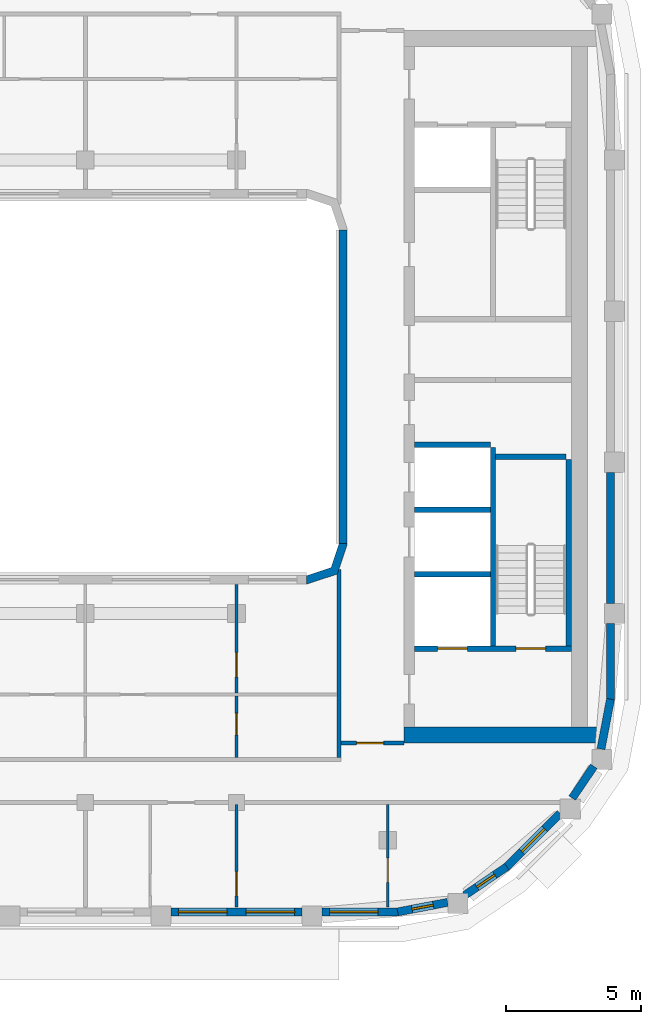
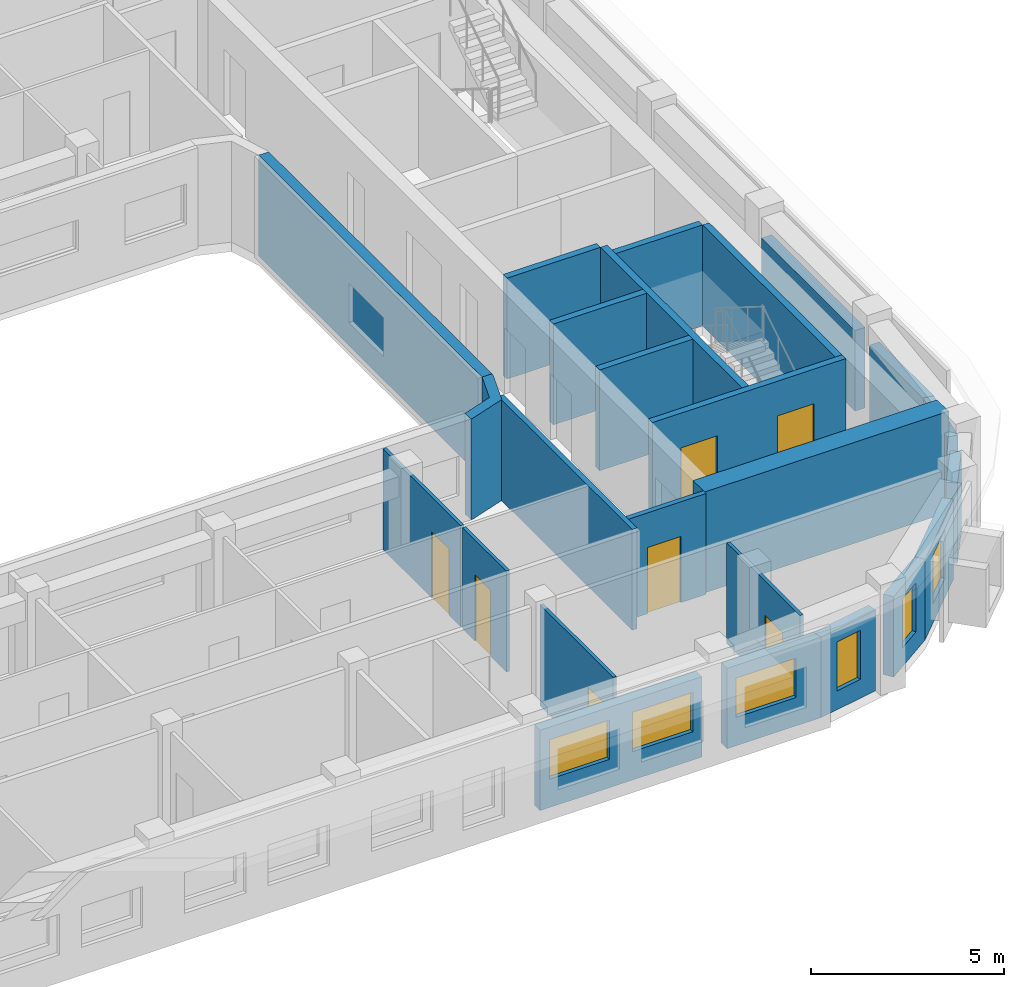
# One storey, part 5 of 16: 25 walls, 7 doors, 6 windows, 13 openings.
"""IFC4 building model written with IfcOpenShell, lengths in metres."""

from ifc_helpers import new_model, si_unit, direction, frame, frame_2d, origin, place, context, subcontext, project, spatial, polyline, rectangle, outline, extrude, material, layer, layer_set, type_object, element, fill, save


model = new_model("IFC4")

# Units and contexts
model_context = context("Model", 3, precision=1e-05, world=origin(), true_north=direction((0.0, 1.0)))
body_context = subcontext(model_context, "Body", "Model", "MODEL_VIEW")
ifc_project = project(units=[si_unit("LENGTHUNIT", "METRE"), si_unit("AREAUNIT", "SQUARE_METRE"), si_unit("VOLUMEUNIT", "CUBIC_METRE"), si_unit("PLANEANGLEUNIT", "RADIAN"), si_unit("MASSUNIT", "GRAM", prefix="KILO")], contexts=[model_context])

# Site, building, storey
site_placement = place(None, origin())
site = spatial("IfcSite", under=ifc_project, at=site_placement, CompositionType="ELEMENT")
building_placement = place(site_placement, origin())
building = spatial("IfcBuilding", under=site, at=building_placement, Name="Kiln Ring Residences", CompositionType="ELEMENT")
storey_placement = place(building_placement, frame((0.0, 0.0, 269.699951171875)))
storey = spatial("IfcBuildingStorey", under=building, at=storey_placement, Name="L70", CompositionType="ELEMENT", Elevation=269.699951171875)

# Walls
ifc_material_1 = material(Name="Gypsum shaft wall system")
ifc_layer_1 = layer(ifc_material_1, 0.199951171875)
ifc_layer_set_1 = layer_set([ifc_layer_1], Name="CORE-SHAFT-WALL-200")
wall_type_1 = type_object("IfcWallType", Name="CORE-SHAFT-WALL-200", PredefinedType="PARTITIONING", material=ifc_layer_set_1)
for number, where, z_axis, x_axis, name in (
    (1, (17.800048828125, -6.949951171875, 0.0), (0.0, 0.0, 1.0), (1.0, 0.0, 0.0), "Core partition east L70 2"),
    (2, (17.800048828125, -4.550048828125, 0.0), (0.0, 0.0, 1.0), (1.0, 0.0, 0.0), "Core partition east L70 3"),
    (3, (17.800048828125, -2.14990234375, 0.0), (0.0, 0.0, 1.0), (1.0, 0.0, 0.0), "Core partition east L70 4"),
):
    element("IfcWall", number, at=place(storey_placement, frame(where, z_axis=z_axis, x_axis=x_axis)), inside=storey, type_object=wall_type_1, Name=name, PredefinedType="PARTITIONING", context=body_context, shape_type="SweptSolid", body=[
        extrude(rectangle(XDim=2.800048828125, YDim=0.199951171875, at=frame_2d((1.39990234375, 0.0))), origin(), (0.0, 0.0, 1.0), 3.199951171875),
    ])
ifc_material_2 = material(Name="Concrete C40/50", Category="concrete")
ifc_layer_2 = layer(ifc_material_2, 0.199951171875)
ifc_layer_set_2 = layer_set([ifc_layer_2], Name="CORE-WALL-RC200")
wall_type_2 = type_object("IfcWallType", Name="CORE-WALL-RC200", PredefinedType="SHEAR", material=ifc_layer_set_2)
wall_1_placement = place(storey_placement, frame((20.699951171875, -9.60009765625, 0.0), z_axis=(0.0, 0.0, 1.0), x_axis=(0.0, 1.0, 0.0)))
element("IfcWall", 4, at=wall_1_placement, inside=storey, type_object=wall_type_2, Name="Core wall east L70 2", PredefinedType="SHEAR", context=body_context, shape_type="SweptSolid", body=[
    extrude(rectangle(XDim=7.35009765625, YDim=0.199951171875, at=frame_2d((3.675048828125, 0.0))), origin(), (0.0, 0.0, 1.0), 3.199951171875),
])

# Wall, openings, doors
wall_2_placement = place(storey_placement, frame((17.800048828125, -9.699951171875, 0.0), z_axis=(0.0, 0.0, 1.0), x_axis=(1.0, 0.0, 0.0)))
wall_2 = element("IfcWall", 5, at=wall_2_placement, inside=storey, type_object=wall_type_2, Name="Core wall east L70 8", PredefinedType="SHEAR", context=body_context, shape_type="SweptSolid", body=[
    extrude(rectangle(XDim=5.800048828125, YDim=0.199951171875, at=frame_2d((2.89990234375, 0.0))), origin(), (0.0, 0.0, 1.0), 3.199951171875),
])
opening_1_placement = place(wall_2_placement, frame((0.85009765625, 0.0, 0.0)))
opening_1 = element("IfcOpeningElement", 6, at=opening_1_placement, cuts=wall_2, Name="Opening L70-CE01", PredefinedType="OPENING", context=body_context, shape_type="SweptSolid", body=[
    extrude(rectangle(XDim=1.10009765625, YDim=2.10009765625, at=frame_2d((0.550048828125, 1.050048828125))), frame((0.0, 0.10986328125, 0.0), z_axis=(0.0, -1.0, 0.0), x_axis=(1.0, 0.0, 0.0)), (0.0, 0.0, 1.0), 0.219970703125),
])
opening_2_placement = place(wall_2_placement, frame((3.75, 0.0, 0.0)))
opening_2 = element("IfcOpeningElement", 7, at=opening_2_placement, cuts=wall_2, Name="Opening L70-CE10", PredefinedType="OPENING", context=body_context, shape_type="SweptSolid", body=[
    extrude(rectangle(XDim=1.10009765625, YDim=2.10009765625, at=frame_2d((0.550048828125, 1.050048828125))), frame((0.0, 0.10986328125, 0.0), z_axis=(0.0, -1.0, 0.0), x_axis=(1.0, 0.0, 0.0)), (0.0, 0.0, 1.0), 0.219970703125),
])
ifc_material_3 = material(Name="Steel door leaf", Category="steel")
door_type_1 = type_object("IfcDoorType", Name="CORE-DOOR-LD", OperationType="DOUBLE_DOOR_SLIDING", PredefinedType="DOOR", material=ifc_material_3)
door_1_placement = place(opening_1_placement, origin())
door_1 = element("IfcDoor", 8, at=door_1_placement, inside=storey, type_object=door_type_1, Name="LD E-SV L70-CE01", OperationType="DOUBLE_DOOR_SLIDING", OverallHeight=2.10009765625, OverallWidth=1.10009765625, PredefinedType="DOOR", context=body_context, shape_type="SweptSolid", body=[
    extrude(rectangle(XDim=1.10009765625, YDim=2.10009765625, at=frame_2d((0.550048828125, 1.050048828125))), frame((0.0, 0.02490234375, 0.0), z_axis=(0.0, -1.0, 0.0), x_axis=(1.0, 0.0, 0.0)), (0.0, 0.0, 1.0), 0.050048828125),
])
fill(opening_1, door_1)
ifc_material_4 = material(Name="Steel door leaf", Category="steel")
door_type_2 = type_object("IfcDoorType", Name="CORE-DOOR-STAIR", OperationType="SINGLE_SWING_LEFT", PredefinedType="DOOR", material=ifc_material_4)
door_2_placement = place(opening_2_placement, origin())
door_2 = element("IfcDoor", 9, at=door_2_placement, inside=storey, type_object=door_type_2, Name="Stair E-STS L70-CE10", OperationType="SINGLE_SWING_RIGHT", OverallHeight=2.10009765625, OverallWidth=1.10009765625, PredefinedType="DOOR", context=body_context, shape_type="SweptSolid", body=[
    extrude(rectangle(XDim=1.10009765625, YDim=2.10009765625, at=frame_2d((0.550048828125, 1.050048828125))), frame((0.0, 0.02490234375, 0.0), z_axis=(0.0, -1.0, 0.0), x_axis=(1.0, 0.0, 0.0)), (0.0, 0.0, 1.0), 0.050048828125),
])
fill(opening_2, door_2)

# Walls
wall_3_placement = place(storey_placement, frame((23.5, -9.60009765625, 0.0), z_axis=(0.0, 0.0, 1.0), x_axis=(0.0, 1.0, 0.0)))
element("IfcWall", 10, at=wall_3_placement, inside=storey, type_object=wall_type_2, Name="Core wall east L70 11", PredefinedType="SHEAR", context=body_context, shape_type="SweptSolid", body=[
    extrude(rectangle(XDim=6.900146484375, YDim=0.199951171875, at=frame_2d((3.4501953125, 0.0))), origin(), (0.0, 0.0, 1.0), 3.199951171875),
])
wall_4_placement = place(storey_placement, frame((20.800048828125, -2.60009765625, 0.0), z_axis=(0.0, 0.0, 1.0), x_axis=(1.0, 0.0, 0.0)))
element("IfcWall", 11, at=wall_4_placement, inside=storey, type_object=wall_type_2, Name="Core wall east L70 12", PredefinedType="SHEAR", context=body_context, shape_type="SweptSolid", body=[
    extrude(rectangle(XDim=2.599853515625, YDim=0.199951171875, at=frame_2d((1.2998046875, 0.0))), origin(), (0.0, 0.0, 1.0), 3.199951171875),
])
ifc_material_5 = material(Name="Concrete C60/75", Category="concrete")
ifc_layer_3 = layer(ifc_material_5, 0.60009765625)
ifc_layer_set_3 = layer_set([ifc_layer_3], Name="CORE-WALL-RC600")
wall_type_3 = type_object("IfcWallType", Name="CORE-WALL-RC600", PredefinedType="SHEAR", material=ifc_layer_set_3)
wall_5_placement = place(storey_placement, frame((17.39990234375, -12.89990234375, 0.0), z_axis=(0.0, 0.0, 1.0), x_axis=(1.0, 0.0, 0.0)))
element("IfcWall", 12, at=wall_5_placement, inside=storey, type_object=wall_type_3, Name="Core wall east L70 5", PredefinedType="SHEAR", context=body_context, shape_type="SweptSolid", body=[
    extrude(rectangle(XDim=7.320068359375, YDim=0.60009765625, at=frame_2d((3.66015625, 0.0))), origin(), (0.0, 0.0, 1.0), 3.199951171875),
])

# Wall, openings, windows
ifc_material_6 = material(Name="Brick masonry, dark clay brick", Category="masonry")
ifc_layer_4 = layer(ifc_material_6, 0.300048828125)
ifc_layer_set_4 = layer_set([ifc_layer_4], Name="EW-300 BRICK WALL")
wall_type_4 = type_object("IfcWallType", Name="EW-300 BRICK WALL", PredefinedType="SOLIDWALL", material=ifc_layer_set_4)
wall_6_placement = place(storey_placement, frame((8.77490234375, -19.449951171875, 0.0), z_axis=(0.0, 0.0, 1.0), x_axis=(1.0, 0.0, 0.0)))
wall_6 = element("IfcWall", 13, at=wall_6_placement, inside=storey, type_object=wall_type_4, Name="Facade wall L70 9", PredefinedType="SOLIDWALL", context=body_context, shape_type="SweptSolid", body=[
    extrude(rectangle(XDim=4.85009765625, YDim=0.300048828125, at=frame_2d((2.425048828125, 0.0))), origin(), (0.0, 0.0, 1.0), 2.550048828125),
])
opening_3_placement = place(wall_6_placement, frame((0.27490234375, 0.0, 0.89990234375)))
opening_3 = element("IfcOpeningElement", 14, at=opening_3_placement, cuts=wall_6, Name="Opening W2", PredefinedType="OPENING", context=body_context, shape_type="SweptSolid", body=[
    extrude(rectangle(XDim=1.800048828125, YDim=1.25, at=frame_2d((0.89990234375, 0.625))), frame((0.0, 0.159912109375, 0.0), z_axis=(0.0, -1.0, 0.0), x_axis=(1.0, 0.0, 0.0)), (0.0, 0.0, 1.0), 0.320068359375),
])
opening_4_placement = place(wall_6_placement, frame((2.77490234375, 0.0, 0.89990234375)))
opening_4 = element("IfcOpeningElement", 15, at=opening_4_placement, cuts=wall_6, Name="Opening W2", PredefinedType="OPENING", context=body_context, shape_type="SweptSolid", body=[
    extrude(rectangle(XDim=1.800048828125, YDim=1.25, at=frame_2d((0.89990234375, 0.625))), frame((0.0, 0.159912109375, 0.0), z_axis=(0.0, -1.0, 0.0), x_axis=(1.0, 0.0, 0.0)), (0.0, 0.0, 1.0), 0.320068359375),
])
ifc_material_7 = material(Name="Aluminium frame with double glazing", Category="aluminium")
window_type_1 = type_object("IfcWindowType", Name="WINDOW 1800 x 1250", PartitioningType="SINGLE_PANEL", PredefinedType="WINDOW", material=ifc_material_7)
window_1_placement = place(opening_3_placement, origin())
window_1 = element("IfcWindow", 16, at=window_1_placement, inside=storey, type_object=window_type_1, Name="Window L70 12", OverallHeight=1.25, OverallWidth=1.800048828125, PartitioningType="SINGLE_PANEL", PredefinedType="WINDOW", context=body_context, shape_type="SweptSolid", body=[
    extrude(rectangle(XDim=1.800048828125, YDim=1.25, at=frame_2d((0.89990234375, 0.625))), frame((0.0, 0.030029296875, 0.0), z_axis=(0.0, -1.0, 0.0), x_axis=(1.0, 0.0, 0.0)), (0.0, 0.0, 1.0), 0.06005859375),
])
fill(opening_3, window_1)
window_2_placement = place(opening_4_placement, origin())
window_2 = element("IfcWindow", 17, at=window_2_placement, inside=storey, type_object=window_type_1, Name="Window L70 13", OverallHeight=1.25, OverallWidth=1.800048828125, PartitioningType="SINGLE_PANEL", PredefinedType="WINDOW", context=body_context, shape_type="SweptSolid", body=[
    extrude(rectangle(XDim=1.800048828125, YDim=1.25, at=frame_2d((0.89990234375, 0.625))), frame((0.0, 0.030029296875, 0.0), z_axis=(0.0, -1.0, 0.0), x_axis=(1.0, 0.0, 0.0)), (0.0, 0.0, 1.0), 0.06005859375),
])
fill(opening_4, window_2)

# Wall, opening, window
wall_7_placement = place(storey_placement, frame((14.375, -19.449951171875, 0.0), z_axis=(0.0, 0.0, 1.0), x_axis=(1.0, 0.0, 0.0)))
wall_7 = element("IfcWall", 18, at=wall_7_placement, inside=storey, type_object=wall_type_4, Name="Facade wall L70 10", PredefinedType="SOLIDWALL", context=body_context, shape_type="SweptSolid", body=[
    extrude(rectangle(XDim=2.824951171875, YDim=0.300048828125, at=frame_2d((1.41259765625, 0.0))), origin(), (0.0, 0.0, 1.0), 2.550048828125),
])
opening_5_placement = place(wall_7_placement, frame((0.27490234375, 0.0, 0.89990234375)))
opening_5 = element("IfcOpeningElement", 19, at=opening_5_placement, cuts=wall_7, Name="Opening W2", PredefinedType="OPENING", context=body_context, shape_type="SweptSolid", body=[
    extrude(rectangle(XDim=1.800048828125, YDim=1.25, at=frame_2d((0.89990234375, 0.625))), frame((0.0, 0.159912109375, 0.0), z_axis=(0.0, -1.0, 0.0), x_axis=(1.0, 0.0, 0.0)), (0.0, 0.0, 1.0), 0.320068359375),
])
window_3_placement = place(opening_5_placement, origin())
window_3 = element("IfcWindow", 20, at=window_3_placement, inside=storey, type_object=window_type_1, Name="Window L70 14", OverallHeight=1.25, OverallWidth=1.800048828125, PartitioningType="SINGLE_PANEL", PredefinedType="WINDOW", context=body_context, shape_type="SweptSolid", body=[
    extrude(rectangle(XDim=1.800048828125, YDim=1.25, at=frame_2d((0.89990234375, 0.625))), frame((0.0, 0.030029296875, 0.0), z_axis=(0.0, -1.0, 0.0), x_axis=(1.0, 0.0, 0.0)), (0.0, 0.0, 1.0), 0.06005859375),
])
fill(opening_5, window_3)

wall_8_placement = place(storey_placement, frame((17.171875, -19.45263671875, 0.0), z_axis=(0.0, 0.0, 1.0), x_axis=(0.982284001233, 0.187398348234, 0.0)))
wall_8 = element("IfcWall", 21, at=wall_8_placement, inside=storey, type_object=wall_type_4, Name="Facade wall L70 11", PredefinedType="SOLIDWALL", context=body_context, shape_type="SweptSolid", body=[
    extrude(rectangle(XDim=1.88134765625, YDim=0.300048828125, at=frame_2d((0.940673828125, 0.0))), origin(), (0.0, 0.0, 1.0), 2.550048828125),
])
opening_6_placement = place(wall_8_placement, frame((0.54052734375, 0.0, 0.60009765625)))
opening_6 = element("IfcOpeningElement", 22, at=opening_6_placement, cuts=wall_8, Name="Opening W5", PredefinedType="OPENING", context=body_context, shape_type="SweptSolid", body=[
    extrude(rectangle(XDim=0.800048828125, YDim=1.550048828125, at=frame_2d((0.39990234375, 0.77490234375))), frame((0.0, 0.159912109375, 0.0), z_axis=(0.0, -1.0, 0.0), x_axis=(1.0, 0.0, 0.0)), (0.0, 0.0, 1.0), 0.320068359375),
])
ifc_material_8 = material(Name="Aluminium frame with double glazing", Category="aluminium")
window_type_2 = type_object("IfcWindowType", Name="WINDOW 800 x 1550", PartitioningType="SINGLE_PANEL", PredefinedType="WINDOW", material=ifc_material_8)
window_4_placement = place(opening_6_placement, origin())
window_4 = element("IfcWindow", 23, at=window_4_placement, inside=storey, type_object=window_type_2, Name="Window L70 15", OverallHeight=1.550048828125, OverallWidth=0.800048828125, PartitioningType="SINGLE_PANEL", PredefinedType="WINDOW", context=body_context, shape_type="SweptSolid", body=[
    extrude(rectangle(XDim=0.800048828125, YDim=1.550048828125, at=frame_2d((0.39990234375, 0.77490234375))), frame((0.0, 0.030029296875, 0.0), z_axis=(0.0, -1.0, 0.0), x_axis=(1.0, 0.0, 0.0)), (0.0, 0.0, 1.0), 0.06005859375),
])
fill(opening_6, window_4)

wall_9_placement = place(storey_placement, frame((19.656982421875, -18.836181640625, 0.0), z_axis=(0.0, 0.0, 1.0), x_axis=(0.82704477487, 0.562136051469, 0.0)))
wall_9 = element("IfcWall", 24, at=wall_9_placement, inside=storey, type_object=wall_type_4, Name="Facade wall L70 12", PredefinedType="SOLIDWALL", context=body_context, shape_type="SweptSolid", body=[
    extrude(rectangle(XDim=1.881103515625, YDim=0.300048828125, at=frame_2d((0.9404296875, 0.0))), origin(), (0.0, 0.0, 1.0), 2.550048828125),
])
opening_7_placement = place(wall_9_placement, frame((0.54052734375, 0.0, 0.60009765625)))
opening_7 = element("IfcOpeningElement", 25, at=opening_7_placement, cuts=wall_9, Name="Opening W5", PredefinedType="OPENING", context=body_context, shape_type="SweptSolid", body=[
    extrude(rectangle(XDim=0.800048828125, YDim=1.550048828125, at=frame_2d((0.39990234375, 0.77490234375))), frame((0.0, 0.159912109375, 0.0), z_axis=(0.0, -1.0, 0.0), x_axis=(1.0, 0.0, 0.0)), (0.0, 0.0, 1.0), 0.320068359375),
])
window_5_placement = place(opening_7_placement, origin())
window_5 = element("IfcWindow", 26, at=window_5_placement, inside=storey, type_object=window_type_2, Name="Window L70 16", OverallHeight=1.550048828125, OverallWidth=0.800048828125, PartitioningType="SINGLE_PANEL", PredefinedType="WINDOW", context=body_context, shape_type="SweptSolid", body=[
    extrude(rectangle(XDim=0.800048828125, YDim=1.550048828125, at=frame_2d((0.39990234375, 0.77490234375))), frame((0.0, 0.030029296875, 0.0), z_axis=(0.0, -1.0, 0.0), x_axis=(1.0, 0.0, 0.0)), (0.0, 0.0, 1.0), 0.06005859375),
])
fill(opening_7, window_5)

wall_10_placement = place(storey_placement, frame((21.19091796875, -17.796875, 0.0), z_axis=(0.0, 0.0, 1.0), x_axis=(0.707106781187, 0.707106781187, 0.0)))
wall_10 = element("IfcWall", 27, at=wall_10_placement, inside=storey, type_object=wall_type_4, Name="Facade wall L70 13", PredefinedType="SOLIDWALL", context=body_context, shape_type="SweptSolid", body=[
    extrude(rectangle(XDim=2.824951171875, YDim=0.300048828125, at=frame_2d((1.41259765625, 0.0))), origin(), (0.0, 0.0, 1.0), 2.550048828125),
])
opening_8_placement = place(wall_10_placement, frame((0.8125, 0.0, 0.60009765625)))
opening_8 = element("IfcOpeningElement", 28, at=opening_8_placement, cuts=wall_10, Name="Opening W1", PredefinedType="OPENING", context=body_context, shape_type="SweptSolid", body=[
    extrude(rectangle(XDim=1.199951171875, YDim=1.550048828125, at=frame_2d((0.60009765625, 0.77490234375))), frame((0.0, 0.159912109375, 0.0), z_axis=(0.0, -1.0, 0.0), x_axis=(1.0, 0.0, 0.0)), (0.0, 0.0, 1.0), 0.320068359375),
])
ifc_material_9 = material(Name="Aluminium frame with double glazing", Category="aluminium")
window_type_3 = type_object("IfcWindowType", Name="WINDOW 1200 x 1550", PartitioningType="SINGLE_PANEL", PredefinedType="WINDOW", material=ifc_material_9)
window_6_placement = place(opening_8_placement, origin())
window_6 = element("IfcWindow", 29, at=window_6_placement, inside=storey, type_object=window_type_3, Name="Window L70 17", OverallHeight=1.550048828125, OverallWidth=1.199951171875, PartitioningType="SINGLE_PANEL", PredefinedType="WINDOW", context=body_context, shape_type="SweptSolid", body=[
    extrude(rectangle(XDim=1.199951171875, YDim=1.550048828125, at=frame_2d((0.60009765625, 0.77490234375))), frame((0.0, 0.030029296875, 0.0), z_axis=(0.0, -1.0, 0.0), x_axis=(1.0, 0.0, 0.0)), (0.0, 0.0, 1.0), 0.06005859375),
])
fill(opening_8, window_6)

# Walls
wall_11_placement = place(storey_placement, frame((23.634033203125, -15.2373046875, 0.0), z_axis=(0.0, 0.0, 1.0), x_axis=(0.562099454787, 0.827069648173, 0.0)))
element("IfcWall", 30, at=wall_11_placement, inside=storey, type_object=wall_type_4, Name="Facade wall L70 14", PredefinedType="SOLIDWALL", context=body_context, shape_type="SweptSolid", body=[
    extrude(rectangle(XDim=1.42724609375, YDim=0.300048828125, at=frame_2d((0.713623046875, 0.0))), origin(), (0.0, 0.0, 1.0), 2.550048828125),
])
wall_12_placement = place(storey_placement, frame((24.7001953125, -13.419677734375, 0.0), z_axis=(0.0, 0.0, 1.0), x_axis=(0.187398348234, 0.982284001233, 0.0)))
element("IfcWall", 31, at=wall_12_placement, inside=storey, type_object=wall_type_4, Name="Facade wall L70 15", PredefinedType="SOLIDWALL", context=body_context, shape_type="SweptSolid", body=[
    extrude(rectangle(XDim=1.88134765625, YDim=0.300048828125, at=frame_2d((0.940673828125, 0.0))), origin(), (0.0, 0.0, 1.0), 2.550048828125),
])
wall_13_placement = place(storey_placement, frame((25.050048828125, -11.60009765625, 0.0), z_axis=(0.0, 0.0, 1.0), x_axis=(0.0, 1.0, 0.0)))
element("IfcWall", 32, at=wall_13_placement, inside=storey, type_object=wall_type_4, Name="Facade wall L70 16", PredefinedType="SOLIDWALL", context=body_context, shape_type="SweptSolid", body=[
    extrude(rectangle(XDim=2.8251953125, YDim=0.300048828125, at=frame_2d((1.41259765625, 0.0))), origin(), (0.0, 0.0, 1.0), 2.550048828125),
])
wall_14_placement = place(storey_placement, frame((25.050048828125, -8.02490234375, 0.0), z_axis=(0.0, 0.0, 1.0), x_axis=(0.0, 1.0, 0.0)))
element("IfcWall", 33, at=wall_14_placement, inside=storey, type_object=wall_type_4, Name="Facade wall L70 17", PredefinedType="SOLIDWALL", context=body_context, shape_type="SweptSolid", body=[
    extrude(rectangle(XDim=4.849853515625, YDim=0.300048828125, at=frame_2d((2.4248046875, 0.0))), origin(), (0.0, 0.0, 1.0), 2.550048828125),
])
wall_15_placement = place(storey_placement, frame((15.14990234375, 5.800048828125, 0.0), z_axis=(0.0, 0.0, 1.0), x_axis=(0.0, -1.0, 0.0)))
element("IfcWall", 34, at=wall_15_placement, inside=storey, type_object=wall_type_4, Name="Facade wall L70 47", PredefinedType="SOLIDWALL", context=body_context, shape_type="SweptSolid", body=[
    extrude(rectangle(XDim=11.60009765625, YDim=0.300048828125, at=frame_2d((5.800048828125, 0.0))), origin(), (0.0, 0.0, 1.0), 3.199951171875),
])
wall_16_placement = place(storey_placement, origin())
element("IfcWall", 35, at=wall_16_placement, inside=storey, type_object=wall_type_4, Name="Corner wall L70 3", PredefinedType="SOLIDWALL", context=body_context, shape_type="SweptSolid", body=[
    extrude(outline(polyline([(14.937255859375, -6.937255859375), (15.300048828125, -5.8486328125), (15.300048828125, -5.800048828125), (15.0, -5.800048828125), (14.699951171875, -6.699951171875), (13.800048828125, -7.0), (13.800048828125, -7.300048828125), (13.8486328125, -7.300048828125), (14.937255859375, -6.937255859375)])), origin(), (0.0, 0.0, 1.0), 3.199951171875),
])

# Wall, opening, door
ifc_material_10 = material(Name="Gypsum board on steel studs", Category="steel")
ifc_layer_5 = layer(ifc_material_10, 0.10009765625)
ifc_layer_set_5 = layer_set([ifc_layer_5], Name="PARTITION-100")
wall_type_5 = type_object("IfcWallType", Name="PARTITION-100", PredefinedType="PARTITIONING", material=ifc_layer_set_5)
wall_17_placement = place(storey_placement, frame((11.199951171875, -19.280029296875, 0.0), z_axis=(0.0, 0.0, 1.0), x_axis=(0.0, 1.0, 0.0)))
wall_17 = element("IfcWall", 36, at=wall_17_placement, inside=storey, type_object=wall_type_5, Name="Partition 045", PredefinedType="PARTITIONING", context=body_context, shape_type="SweptSolid", body=[
    extrude(rectangle(XDim=3.804931640625, YDim=0.10009765625, at=frame_2d((1.90234375, 0.0))), origin(), (0.0, 0.0, 1.0), 3.199951171875),
])
opening_9_placement = place(wall_17_placement, frame((0.419921875, 0.0, 0.0)))
opening_9 = element("IfcOpeningElement", 37, at=opening_9_placement, cuts=wall_17, Name="Opening L70-D051", PredefinedType="OPENING", context=body_context, shape_type="SweptSolid", body=[
    extrude(rectangle(XDim=0.89990234375, YDim=2.10009765625, at=frame_2d((0.449951171875, 1.050048828125))), frame((0.0, 0.06005859375, 0.0), z_axis=(0.0, -1.0, 0.0), x_axis=(1.0, 0.0, 0.0)), (0.0, 0.0, 1.0), 0.1201171875),
])
ifc_material_11 = material(Name="Timber door leaf", Category="wood")
door_type_3 = type_object("IfcDoorType", Name="FLAT-DOOR-900-PL", OperationType="SINGLE_SWING_LEFT", PredefinedType="DOOR", material=ifc_material_11)
door_3_placement = place(opening_9_placement, origin())
door_3 = element("IfcDoor", 38, at=door_3_placement, inside=storey, type_object=door_type_3, Name="Door L70-D051", OperationType="SINGLE_SWING_LEFT", OverallHeight=2.10009765625, OverallWidth=0.89990234375, PredefinedType="DOOR", context=body_context, shape_type="SweptSolid", body=[
    extrude(rectangle(XDim=0.89990234375, YDim=2.10009765625, at=frame_2d((0.449951171875, 1.050048828125))), frame((0.0, 0.02490234375, 0.0), z_axis=(0.0, -1.0, 0.0), x_axis=(1.0, 0.0, 0.0)), (0.0, 0.0, 1.0), 0.050048828125),
])
fill(opening_9, door_3)

wall_18_placement = place(storey_placement, frame((11.199951171875, -13.72509765625, 0.0), z_axis=(0.0, 0.0, 1.0), x_axis=(0.0, 1.0, 0.0)))
wall_18 = element("IfcWall", 39, at=wall_18_placement, inside=storey, type_object=wall_type_5, Name="Partition 046", PredefinedType="PARTITIONING", context=body_context, shape_type="SweptSolid", body=[
    extrude(rectangle(XDim=2.275146484375, YDim=0.10009765625, at=frame_2d((1.1376953125, 0.0))), origin(), (0.0, 0.0, 1.0), 3.199951171875),
])
opening_10_placement = place(wall_18_placement, frame((0.825927734375, 0.0, 0.0)))
opening_10 = element("IfcOpeningElement", 40, at=opening_10_placement, cuts=wall_18, Name="Opening L70-D038", PredefinedType="OPENING", context=body_context, shape_type="SweptSolid", body=[
    extrude(rectangle(XDim=0.800048828125, YDim=2.10009765625, at=frame_2d((0.39990234375, 1.050048828125))), frame((0.0, 0.06005859375, 0.0), z_axis=(0.0, -1.0, 0.0), x_axis=(1.0, 0.0, 0.0)), (0.0, 0.0, 1.0), 0.1201171875),
])
ifc_material_12 = material(Name="Timber door leaf", Category="wood")
door_type_4 = type_object("IfcDoorType", Name="FLAT-DOOR-800-PL", OperationType="SINGLE_SWING_LEFT", PredefinedType="DOOR", material=ifc_material_12)
door_4_placement = place(opening_10_placement, origin())
door_4 = element("IfcDoor", 41, at=door_4_placement, inside=storey, type_object=door_type_4, Name="Door L70-D038", OperationType="SINGLE_SWING_RIGHT", OverallHeight=2.10009765625, OverallWidth=0.800048828125, PredefinedType="DOOR", context=body_context, shape_type="SweptSolid", body=[
    extrude(rectangle(XDim=0.800048828125, YDim=2.10009765625, at=frame_2d((0.39990234375, 1.050048828125))), frame((0.0, 0.02490234375, 0.0), z_axis=(0.0, -1.0, 0.0), x_axis=(1.0, 0.0, 0.0)), (0.0, 0.0, 1.0), 0.050048828125),
])
fill(opening_10, door_4)

wall_19_placement = place(storey_placement, frame((11.199951171875, -11.35009765625, 0.0), z_axis=(0.0, 0.0, 1.0), x_axis=(0.0, 1.0, 0.0)))
wall_19 = element("IfcWall", 42, at=wall_19_placement, inside=storey, type_object=wall_type_5, Name="Partition 047", PredefinedType="PARTITIONING", context=body_context, shape_type="SweptSolid", body=[
    extrude(rectangle(XDim=4.030029296875, YDim=0.10009765625, at=frame_2d((2.01513671875, 0.0))), origin(), (0.0, 0.0, 1.0), 3.199951171875),
])
opening_11_placement = place(wall_19_placement, frame((0.60009765625, 0.0, 0.0)))
opening_11 = element("IfcOpeningElement", 43, at=opening_11_placement, cuts=wall_19, Name="Opening L70-D041", PredefinedType="OPENING", context=body_context, shape_type="SweptSolid", body=[
    extrude(rectangle(XDim=0.89990234375, YDim=2.10009765625, at=frame_2d((0.449951171875, 1.050048828125))), frame((0.0, 0.06005859375, 0.0), z_axis=(0.0, -1.0, 0.0), x_axis=(1.0, 0.0, 0.0)), (0.0, 0.0, 1.0), 0.1201171875),
])
door_5_placement = place(opening_11_placement, origin())
door_5 = element("IfcDoor", 44, at=door_5_placement, inside=storey, type_object=door_type_3, Name="Door L70-D041", OperationType="SINGLE_SWING_LEFT", OverallHeight=2.10009765625, OverallWidth=0.89990234375, PredefinedType="DOOR", context=body_context, shape_type="SweptSolid", body=[
    extrude(rectangle(XDim=0.89990234375, YDim=2.10009765625, at=frame_2d((0.449951171875, 1.050048828125))), frame((0.0, 0.02490234375, 0.0), z_axis=(0.0, -1.0, 0.0), x_axis=(1.0, 0.0, 0.0)), (0.0, 0.0, 1.0), 0.050048828125),
])
fill(opening_11, door_5)

wall_20_placement = place(storey_placement, frame((16.800048828125, -19.280029296875, 0.0), z_axis=(0.0, 0.0, 1.0), x_axis=(0.0, 1.0, 0.0)))
wall_20 = element("IfcWall", 45, at=wall_20_placement, inside=storey, type_object=wall_type_5, Name="Partition 054", PredefinedType="PARTITIONING", context=body_context, shape_type="SweptSolid", body=[
    extrude(rectangle(XDim=3.804931640625, YDim=0.10009765625, at=frame_2d((1.90234375, 0.0))), origin(), (0.0, 0.0, 1.0), 3.199951171875),
])
opening_12_placement = place(wall_20_placement, frame((0.919921875, 0.0, 0.0)))
opening_12 = element("IfcOpeningElement", 46, at=opening_12_placement, cuts=wall_20, Name="Opening L70-D052", PredefinedType="OPENING", context=body_context, shape_type="SweptSolid", body=[
    extrude(rectangle(XDim=0.89990234375, YDim=2.10009765625, at=frame_2d((0.449951171875, 1.050048828125))), frame((0.0, 0.06005859375, 0.0), z_axis=(0.0, -1.0, 0.0), x_axis=(1.0, 0.0, 0.0)), (0.0, 0.0, 1.0), 0.1201171875),
])
door_6_placement = place(opening_12_placement, origin())
door_6 = element("IfcDoor", 47, at=door_6_placement, inside=storey, type_object=door_type_3, Name="Door L70-D052", OperationType="SINGLE_SWING_LEFT", OverallHeight=2.10009765625, OverallWidth=0.89990234375, PredefinedType="DOOR", context=body_context, shape_type="SweptSolid", body=[
    extrude(rectangle(XDim=0.89990234375, YDim=2.10009765625, at=frame_2d((0.449951171875, 1.050048828125))), frame((0.0, 0.02490234375, 0.0), z_axis=(0.0, -1.0, 0.0), x_axis=(1.0, 0.0, 0.0)), (0.0, 0.0, 1.0), 0.050048828125),
])
fill(opening_12, door_6)

ifc_material_13 = material(Name="Brick masonry partition", Category="masonry")
ifc_layer_6 = layer(ifc_material_13, 0.14990234375)
ifc_layer_set_6 = layer_set([ifc_layer_6], Name="PARTITION-150-ei60")
wall_type_6 = type_object("IfcWallType", Name="PARTITION-150-ei60", PredefinedType="PARTITIONING", material=ifc_layer_set_6)
wall_21_placement = place(storey_placement, frame((15.074951171875, -13.199951171875, 0.0), z_axis=(0.0, 0.0, 1.0), x_axis=(1.0, 0.0, 0.0)))
wall_21 = element("IfcWall", 48, at=wall_21_placement, inside=storey, type_object=wall_type_6, Name="Partition 003", PredefinedType="PARTITIONING", context=body_context, shape_type="SweptSolid", body=[
    extrude(rectangle(XDim=2.324951171875, YDim=0.14990234375, at=frame_2d((1.16259765625, 0.0))), origin(), (0.0, 0.0, 1.0), 3.199951171875),
])
opening_13_placement = place(wall_21_placement, frame((0.574951171875, 0.0, 0.0)))
opening_13 = element("IfcOpeningElement", 49, at=opening_13_placement, cuts=wall_21, Name="Opening L70-D004", PredefinedType="OPENING", context=body_context, shape_type="SweptSolid", body=[
    extrude(rectangle(XDim=1.0, YDim=2.10009765625, at=frame_2d((0.5, 1.050048828125))), frame((0.0, 0.0849609375, 0.0), z_axis=(0.0, -1.0, 0.0), x_axis=(1.0, 0.0, 0.0)), (0.0, 0.0, 1.0), 0.169921875),
])
ifc_material_14 = material(Name="Steel faced fire door leaf", Category="steel")
door_type_5 = type_object("IfcDoorType", Name="FLAT-DOOR-1000-FR", OperationType="SINGLE_SWING_LEFT", PredefinedType="DOOR", material=ifc_material_14)
door_7_placement = place(opening_13_placement, origin())
door_7 = element("IfcDoor", 50, at=door_7_placement, inside=storey, type_object=door_type_5, Name="Door L70-D004", OperationType="SINGLE_SWING_LEFT", OverallHeight=2.10009765625, OverallWidth=1.0, PredefinedType="DOOR", context=body_context, shape_type="SweptSolid", body=[
    extrude(rectangle(XDim=1.0, YDim=2.10009765625, at=frame_2d((0.5, 1.050048828125))), frame((0.0, 0.02490234375, 0.0), z_axis=(0.0, -1.0, 0.0), x_axis=(1.0, 0.0, 0.0)), (0.0, 0.0, 1.0), 0.050048828125),
])
fill(opening_13, door_7)

# Wall
wall_22_placement = place(storey_placement, frame((15.0, -13.72509765625, 0.0), z_axis=(0.0, 0.0, 1.0), x_axis=(0.0, 1.0, 0.0)))
element("IfcWall", 51, at=wall_22_placement, inside=storey, type_object=wall_type_6, Name="Partition 052", PredefinedType="PARTITIONING", context=body_context, shape_type="SweptSolid", body=[
    extrude(rectangle(XDim=6.956298828125, YDim=0.14990234375, at=frame_2d((3.47802734375, 0.0))), origin(), (0.0, 0.0, 1.0), 3.199951171875),
])

save(model, "model.ifc")
